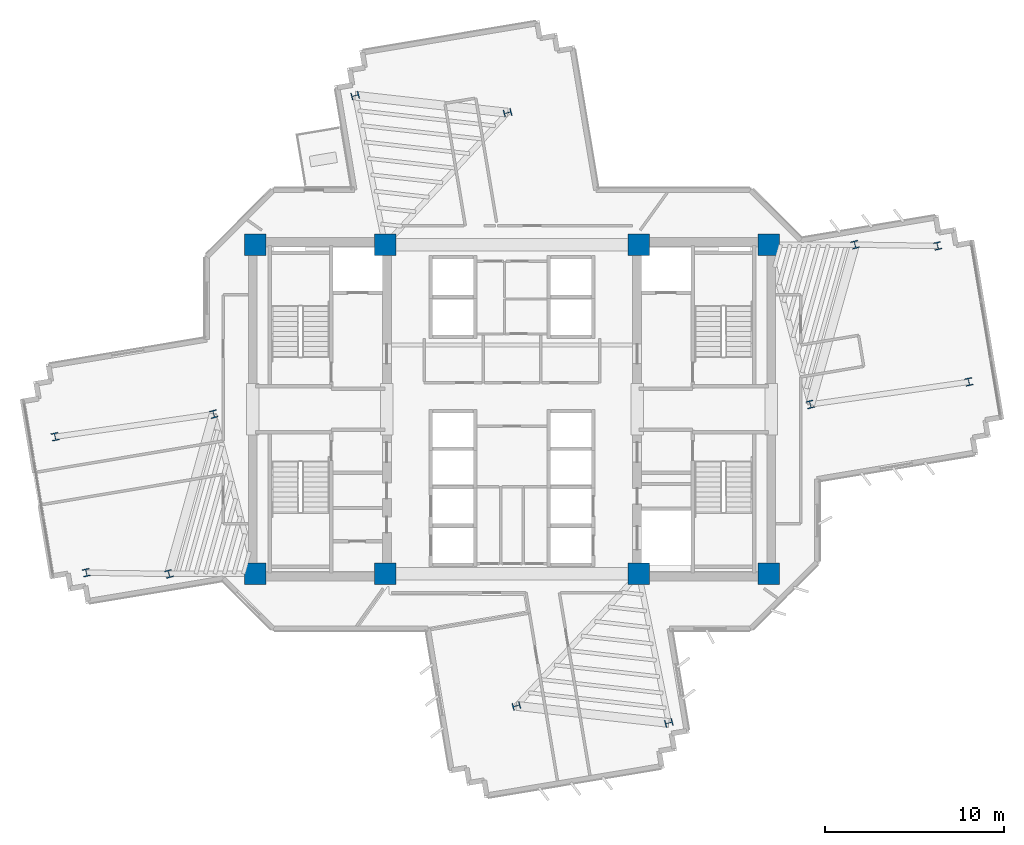
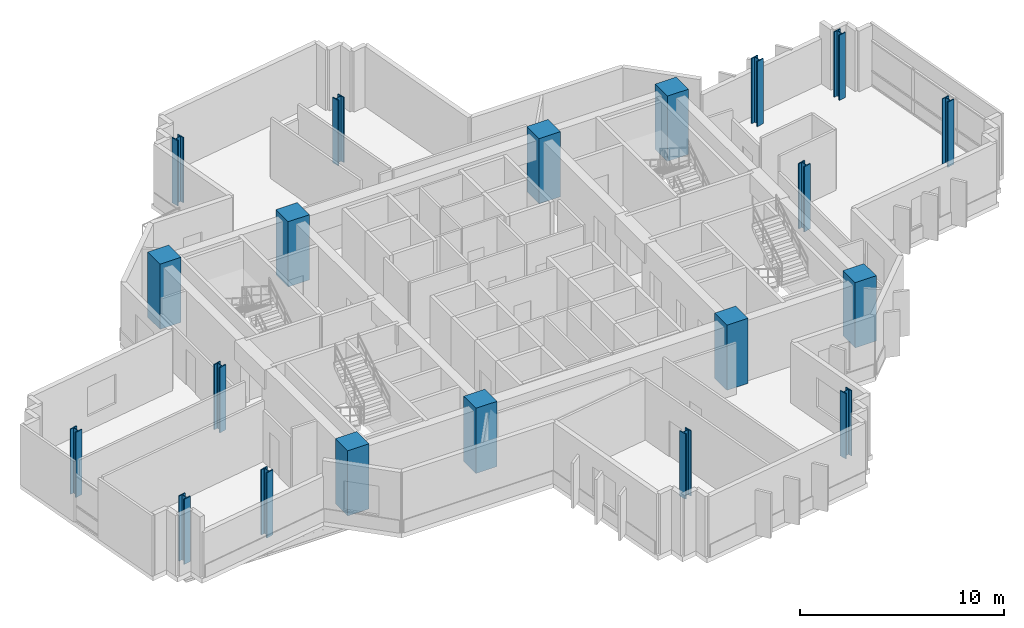
# One storey, part 1 of 15: 20 columns.
"""IFC4 building model written with IfcOpenShell, lengths in metres."""

import ifcopenshell
import ifcopenshell.guid

model = None  # the IFC model being written
_history = None  # IfcOwnerHistory: only IFC2X3 demands one
_inside = {}  # id of a spatial element -> (the spatial element, [elements in it])
_under = {}  # id of a project, library or spatial element -> (it, [spatial elements below it])
_declared = {}  # id of a project -> (the project, [libraries it declares])
_typed = {}  # id of a type object -> (the type object, [elements of that type])
_made_of = {}  # id of a material, layer set ... -> (it, [elements and type objects made of it])


def new_model(schema):
    """Start an empty IFC model of exactly this schema.

    Asked for "IFC4X3", IfcOpenShell would pick the latest addendum, in which some entities
    have other attributes; the version numbers below select the first issue.
    IFC2X3 requires an IfcOwnerHistory on every rooted entity: one is made here for all.
    """
    global model, _history
    if schema == "IFC4X3":
        model = ifcopenshell.file(schema_version=(4, 3, 0, 0))
    else:
        model = ifcopenshell.file(schema=schema)
    _inside.clear()
    _under.clear()
    _declared.clear()
    _typed.clear()
    _made_of.clear()
    _history = None
    if model.schema == "IFC2X3":
        org = make("IfcOrganization", Name="unknown")
        user = make(
            "IfcPersonAndOrganization",
            ThePerson=make("IfcPerson", FamilyName="unknown"),
            TheOrganization=org,
        )
        app = make(
            "IfcApplication",
            ApplicationDeveloper=org,
            Version="unknown",
            ApplicationFullName="unknown",
            ApplicationIdentifier="unknown",
        )
        _history = make(
            "IfcOwnerHistory",
            OwningUser=user,
            OwningApplication=app,
            ChangeAction="ADDED",
            CreationDate=0,
        )
    return model


def make(cls, **values):
    """One entity of the class cls with the attributes given. An attribute that is None is left unset."""
    return model.create_entity(
        cls, **{name: value for name, value in values.items() if value is not None}
    )


def rooted(cls, **values):
    """An entity with a GlobalId (a new one), such as an element, a storey or a relation."""
    return make(cls, GlobalId=ifcopenshell.guid.new(), OwnerHistory=_history, **values)


def si_unit(unit_type, name, prefix=None):
    """IfcSIUnit, for example si_unit("LENGTHUNIT", "METRE", prefix="MILLI")."""
    return make("IfcSIUnit", UnitType=unit_type, Prefix=prefix, Name=name)


def assignment(units):
    """IfcUnitAssignment: the units of a project."""
    return None if units is None else make("IfcUnitAssignment", Units=units)


def point(xyz):
    """IfcCartesianPoint."""
    return None if xyz is None else make("IfcCartesianPoint", Coordinates=xyz)


def direction(xyz):
    """IfcDirection."""
    return None if xyz is None else make("IfcDirection", DirectionRatios=xyz)


def frame(location, z_axis=None, x_axis=None):
    """IfcAxis2Placement3D, a coordinate frame: its origin and axes. An axis left out is left unset."""
    return make(
        "IfcAxis2Placement3D",
        Location=point(location),
        Axis=direction(z_axis),
        RefDirection=direction(x_axis),
    )


def frame_2d(location, x_axis=None):
    """IfcAxis2Placement2D, a coordinate frame in the plane: its origin and x axis."""
    return make(
        "IfcAxis2Placement2D", Location=point(location), RefDirection=direction(x_axis)
    )


def origin():
    """The frame at (0, 0, 0) with its axes left unset."""
    return frame((0.0, 0.0, 0.0))


def origin_2d():
    """The frame at (0, 0) in the plane with its x axis left unset."""
    return frame_2d((0.0, 0.0))


def place(relative_to, where):
    """IfcLocalPlacement: puts the frame where relative to a parent placement (None: the world)."""
    return make(
        "IfcLocalPlacement", PlacementRelTo=relative_to, RelativePlacement=where
    )


def context(
    kind, dimensions, precision=None, world=None, true_north=None, identifier=None
):
    """IfcGeometricRepresentationContext, for example the 3D "Model" context."""
    return make(
        "IfcGeometricRepresentationContext",
        ContextIdentifier=identifier,
        ContextType=kind,
        CoordinateSpaceDimension=dimensions,
        Precision=precision,
        WorldCoordinateSystem=world,
        TrueNorth=true_north,
    )


def subcontext(parent, identifier, kind, view, scale=None):
    """IfcGeometricRepresentationSubContext, for example "Body" below "Model"."""
    return make(
        "IfcGeometricRepresentationSubContext",
        ContextIdentifier=identifier,
        ContextType=kind,
        ParentContext=parent,
        TargetScale=scale,
        TargetView=view,
    )


def project(units=None, contexts=None):
    """IfcProject with its units and contexts."""
    return rooted(
        "IfcProject",
        Name="project",
        RepresentationContexts=contexts,
        UnitsInContext=assignment(units),
    )


def spatial(cls, under=None, at=None, **own):
    """A site, building, storey or space (cls), placed at a placement, below another one or the project."""
    s = rooted(cls, ObjectPlacement=at, **own)
    if under is not None:
        _under.setdefault(under.id(), (under, []))[1].append(s)
    return s


def profile(cls, at=None, kind="AREA", **sizes):
    """A parametric profile (cls). Its sizes go by their IFC names, for example OverallWidth=200.0."""
    return make(cls, ProfileType=kind, Position=at, **sizes)


def rectangle(**sizes):
    """IfcRectangleProfileDef."""
    return profile("IfcRectangleProfileDef", **sizes)


def i_section(**sizes):
    """IfcIShapeProfileDef."""
    return profile("IfcIShapeProfileDef", **sizes)


def extrude(swept, where, along, depth):
    """IfcExtrudedAreaSolid: the profile swept, set in the frame where, extruded along a direction by depth."""
    return make(
        "IfcExtrudedAreaSolid",
        SweptArea=swept,
        Position=where,
        ExtrudedDirection=direction(along),
        Depth=depth,
    )


def shape(context_of_items, identifier, shape_type, items):
    """IfcShapeRepresentation: the items that make up one representation, for example the "Body"."""
    return make(
        "IfcShapeRepresentation",
        ContextOfItems=context_of_items,
        RepresentationIdentifier=identifier,
        RepresentationType=shape_type,
        Items=items,
    )


def source(mapping_origin, context_of_items, identifier, shape_type, items):
    """IfcRepresentationMap: a shape defined once, which mapped items show again and again."""
    return make(
        "IfcRepresentationMap",
        MappingOrigin=mapping_origin,
        MappedRepresentation=shape(context_of_items, identifier, shape_type, items),
    )


def transform(
    local_origin,
    x_axis=None,
    y_axis=None,
    z_axis=None,
    scale=None,
    scale2=None,
    scale3=None,
    uniform=True,
):
    """IfcCartesianTransformationOperator3D, or its non-uniform kind. x_axis, y_axis, z_axis: its Axis1, 2, 3."""
    if uniform:
        return make(
            "IfcCartesianTransformationOperator3D",
            Axis1=direction(x_axis),
            Axis2=direction(y_axis),
            LocalOrigin=point(local_origin),
            Scale=scale,
            Axis3=direction(z_axis),
        )
    return make(
        "IfcCartesianTransformationOperator3DnonUniform",
        Axis1=direction(x_axis),
        Axis2=direction(y_axis),
        LocalOrigin=point(local_origin),
        Scale=scale,
        Axis3=direction(z_axis),
        Scale2=scale2,
        Scale3=scale3,
    )


def mapped(mapping_source, mapping_target):
    """IfcMappedItem: shows the shape of a source again, moved by a transform."""
    return make(
        "IfcMappedItem", MappingSource=mapping_source, MappingTarget=mapping_target
    )


def material(Name=None, Category=None):
    """IfcMaterial."""
    return make("IfcMaterial", Name=Name, Category=Category)


def material_profile(
    of_material, cross_section, Name=None, Category=None, Priority=None
):
    """IfcMaterialProfile: a cross section and its material."""
    return make(
        "IfcMaterialProfile",
        Name=Name,
        Material=of_material,
        Profile=cross_section,
        Priority=Priority,
        Category=Category,
    )


def profile_set(profiles, Name=None, composite=None):
    """IfcMaterialProfileSet."""
    return make(
        "IfcMaterialProfileSet",
        Name=Name,
        MaterialProfiles=profiles,
        CompositeProfile=composite,
    )


def made_of(thing, what):
    """Note that an element or type object is made of a material, layer set ...; save() writes the relation."""
    if what is not None:
        _made_of.setdefault(what.id(), (what, []))[1].append(thing)
    return thing


def type_object(cls, material=None, **own):
    """A type object (cls), such as IfcWallType, which elements share."""
    return made_of(rooted(cls, **own), material)


def element(
    cls,
    number,
    at=None,
    inside=None,
    cuts=None,
    type_object=None,
    material=None,
    context=None,
    identifier="Body",
    shape_type=None,
    held_by="IfcProductDefinitionShape",
    body=None,
    shapes=None,
    **own,
):
    """One element of the class cls, such as IfcWall. Its Tag is "e" and its number.

    at: its placement. inside: the storey or other place that contains it. cuts: it is an
    opening in that element (IfcRelVoidsElement). A single representation is given by context,
    identifier, shape_type and body (its items); several are given by shapes. held_by: the class
    of the entity that holds the representations. save() writes the other relations.
    """
    e = rooted(cls, Tag="e%d" % number, ObjectPlacement=at, **own)
    if body is not None:
        shapes = [shape(context, identifier, shape_type, body)]
    if shapes is not None:
        e.Representation = make(held_by, Representations=shapes)
    if inside is not None:
        _inside.setdefault(inside.id(), (inside, []))[1].append(e)
    if cuts is not None:
        rooted(
            "IfcRelVoidsElement", RelatingBuildingElement=cuts, RelatedOpeningElement=e
        )
    if type_object is not None:
        _typed.setdefault(type_object.id(), (type_object, []))[1].append(e)
    return made_of(e, material)


def aggregate(whole, parts):
    """IfcRelAggregates: a whole, such as a stair, and the parts it consists of."""
    return rooted("IfcRelAggregates", RelatingObject=whole, RelatedObjects=parts)


def save(model, path):
    """Write the relations noted so far, then the file.

    IfcRelAggregates (storeys below a building ...), IfcRelContainedInSpatialStructure (elements
    in a storey), IfcRelDefinesByType, IfcRelAssociatesMaterial and IfcRelDeclares: one each for
    every whole, place, type object, material and project.
    """
    for whole, parts in _under.values():
        aggregate(whole, parts)
    for where, things in _inside.values():
        rooted(
            "IfcRelContainedInSpatialStructure",
            RelatedElements=things,
            RelatingStructure=where,
        )
    for kind, things in _typed.values():
        rooted("IfcRelDefinesByType", RelatedObjects=things, RelatingType=kind)
    for what, things in _made_of.values():
        rooted("IfcRelAssociatesMaterial", RelatedObjects=things, RelatingMaterial=what)
    for by, libraries in _declared.values():
        rooted("IfcRelDeclares", RelatingContext=by, RelatedDefinitions=libraries)
    model.write(path)


model = new_model("IFC4")

# Units and contexts
model_context = context("Model", 3, precision=1e-05, world=origin(), true_north=direction((0.0, 1.0)))
body_context = subcontext(model_context, "Body", "Model", "MODEL_VIEW")
ifc_project = project(units=[si_unit("LENGTHUNIT", "METRE"), si_unit("AREAUNIT", "SQUARE_METRE"), si_unit("VOLUMEUNIT", "CUBIC_METRE"), si_unit("PLANEANGLEUNIT", "RADIAN"), si_unit("MASSUNIT", "GRAM", prefix="KILO")], contexts=[model_context])

# Site, building, storey
site_placement = place(None, origin())
site = spatial("IfcSite", under=ifc_project, at=site_placement, CompositionType="ELEMENT")
building_placement = place(site_placement, origin())
building = spatial("IfcBuilding", under=site, at=building_placement, Name="Zahravan Cultural Tower", CompositionType="ELEMENT")
storey_placement = place(building_placement, frame((0.0, 0.0, 135.60009765625)))
storey = spatial("IfcBuildingStorey", under=building, at=storey_placement, Name="L30", CompositionType="ELEMENT", Elevation=135.60009765625)

# Columns
ifc_material_1 = material(Name="Concrete C50/60", Category="concrete")
ifc_material_profile_1 = material_profile(ifc_material_1, rectangle(XDim=1.199951171875, YDim=1.199951171875, at=origin_2d()), Name="RC1200X1200")
ifc_profile_set_1 = profile_set([ifc_material_profile_1], Name="Concrete C50/60")
column_type_1 = type_object("IfcColumnType", Name="COL-RC1200", PredefinedType="COLUMN", material=ifc_profile_set_1)
shared_shape_1 = source(origin(), body_context, "Body", "SweptSolid", [
    extrude(rectangle(XDim=1.199951171875, YDim=1.199951171875, at=origin_2d()), origin(), (0.0, 0.0, 1.0), 3.89990234375),
])
for number, where, z_axis, x_axis, name in (
    (1, (21.64990234375, 17.800048828125, 0.0), (0.0, 0.0, 1.0), (1.0, 0.0, 0.0), "L30 Column CC-W1"),
    (2, (28.89990234375, 17.800048828125, 0.0), (0.0, 0.0, 1.0), (1.0, 0.0, 0.0), "L30 Column CC-W2"),
    (3, (21.64990234375, 36.199951171875, 0.0), (0.0, 0.0, 1.0), (1.0, 0.0, 0.0), "L30 Column CC-W3"),
    (4, (28.89990234375, 36.199951171875, 0.0), (0.0, 0.0, 1.0), (1.0, 0.0, 0.0), "L30 Column CC-W4"),
    (5, (43.10009765625, 17.800048828125, 0.0), (0.0, 0.0, 1.0), (1.0, 0.0, 0.0), "L30 Column CC-E1"),
    (6, (50.35009765625, 17.800048828125, 0.0), (0.0, 0.0, 1.0), (1.0, 0.0, 0.0), "L30 Column CC-E2"),
    (7, (43.10009765625, 36.199951171875, 0.0), (0.0, 0.0, 1.0), (1.0, 0.0, 0.0), "L30 Column CC-E3"),
    (8, (50.35009765625, 36.199951171875, 0.0), (0.0, 0.0, 1.0), (1.0, 0.0, 0.0), "L30 Column CC-E4"),
):
    element("IfcColumn", number, at=place(storey_placement, frame(where, z_axis=z_axis, x_axis=x_axis)), inside=storey, type_object=column_type_1, Name=name, PredefinedType="COLUMN", context=body_context, shape_type="MappedRepresentation", body=[
        mapped(shared_shape_1, transform((0.0, 0.0, 0.0), x_axis=(1.0, 0.0, 0.0), y_axis=(0.0, 1.0, 0.0), z_axis=(0.0, 0.0, 1.0), scale=1.0)),
    ])
ifc_material_2 = material(Name="Steel ASTM A992 Grade 50", Category="steel")
ifc_material_profile_2 = material_profile(ifc_material_2, i_section(OverallWidth=0.412109375, OverallDepth=0.43505859375, WebThickness=0.035888671875, FlangeThickness=0.057373046875, FilletRadius=0.01806640625, at=origin_2d()), Name="W14X311")
ifc_profile_set_2 = profile_set([ifc_material_profile_2], Name="Steel ASTM A992 Grade 50")
column_type_2 = type_object("IfcColumnType", Name="COL-W14X311", PredefinedType="COLUMN", material=ifc_profile_set_2)
shared_shape_2 = source(origin(), body_context, "Body", "SweptSolid", [
    extrude(i_section(OverallWidth=0.412109375, OverallDepth=0.43505859375, WebThickness=0.035888671875, FlangeThickness=0.057373046875, FilletRadius=0.01806640625, at=origin_2d()), origin(), (0.0, 0.0, 1.0), 3.89990234375),
])
for number, where, z_axis, x_axis, name in (
    (9, (52.684326171875, 27.27099609375, 0.0), (0.0, 0.0, 1.0), (0.966823388604, 0.255445757936, 0.0), "L30 Column Z2C-E1"),
    (10, (55.184814453125, 36.2060546875, 0.0), (0.0, 0.0, 1.0), (0.966823388604, 0.255445757936, 0.0), "L30 Column Z2C-E2"),
    (11, (35.754638671875, 43.587646484375, 0.0), (0.0, 0.0, 1.0), (-0.255445757936, 0.966823388604, 0.0), "L30 Column Z2C-N1"),
    (12, (27.22802734375, 44.541259765625, 0.0), (0.0, 0.0, 1.0), (-0.255445757936, 0.966823388604, 0.0), "L30 Column Z2C-N2"),
    (13, (19.315673828125, 26.72900390625, 0.0), (0.0, 0.0, 1.0), (0.966823388604, 0.255445757936, 0.0), "L30 Column Z2C-W1"),
    (14, (16.815185546875, 17.7939453125, 0.0), (0.0, 0.0, 1.0), (0.966823388604, 0.255445757936, 0.0), "L30 Column Z2C-W2"),
    (15, (36.245361328125, 10.412353515625, 0.0), (0.0, 0.0, 1.0), (-0.255445757936, 0.966823388604, 0.0), "L30 Column Z2C-S1"),
    (16, (44.77197265625, 9.458740234375, 0.0), (0.0, 0.0, 1.0), (-0.255445757936, 0.966823388604, 0.0), "L30 Column Z2C-S2"),
    (17, (61.552734375, 28.53466796875, 0.0), (0.0, 0.0, 1.0), (0.977415894286, 0.211324796455, 0.0), "L30 Column Z2T-E1"),
    (18, (59.806640625, 36.13720703125, 0.0), (0.0, 0.0, 1.0), (0.977415894286, 0.211324796455, 0.0), "L30 Column Z2T-E2"),
    (19, (10.447265625, 25.46533203125, 0.0), (0.0, 0.0, 1.0), (0.977415894286, 0.211324796455, 0.0), "L30 Column Z2T-W1"),
    (20, (12.193359375, 17.86279296875, 0.0), (0.0, 0.0, 1.0), (0.977415894286, 0.211324796455, 0.0), "L30 Column Z2T-W2"),
):
    element("IfcColumn", number, at=place(storey_placement, frame(where, z_axis=z_axis, x_axis=x_axis)), inside=storey, type_object=column_type_2, Name=name, PredefinedType="COLUMN", context=body_context, shape_type="MappedRepresentation", body=[
        mapped(shared_shape_2, transform((0.0, 0.0, 0.0), x_axis=(1.0, 0.0, 0.0), y_axis=(0.0, 1.0, 0.0), z_axis=(0.0, 0.0, 1.0), scale=1.0)),
    ])

save(model, "model.ifc")
